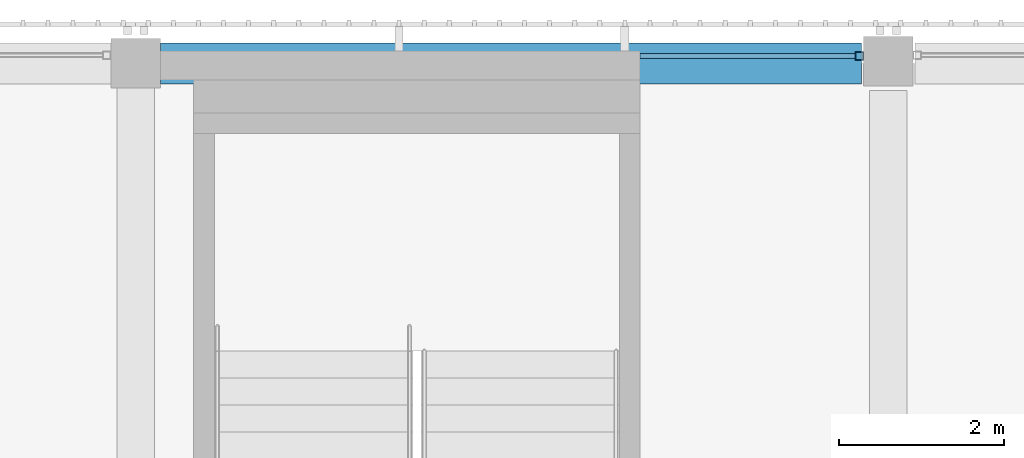
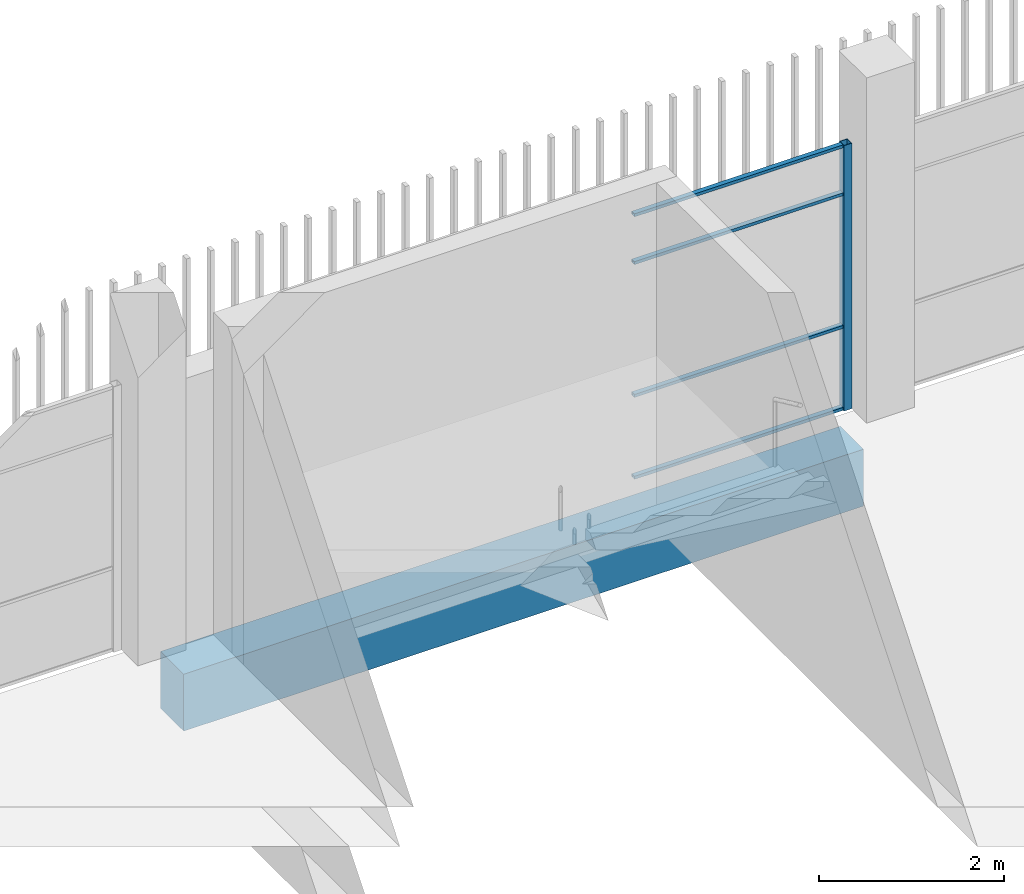
# One storey, part 34 of 126: 5 members, 1 beam, 1 element without a shape of its own.
"""IFC4 building model written with IfcOpenShell, lengths in metres."""

from ifc_helpers import new_model, si_unit, direction, frame, origin, origin_2d, place, context, subcontext, project, spatial, rectangle, hollow_rectangle, extrude, material, layer, layer_set, material_profile, profile_set, type_object, element, aggregate, save


model = new_model("IFC4")

# Units and contexts
model_context = context("Model", 3, precision=1e-05, world=origin(), true_north=direction((0.0, 1.0)))
body_context = subcontext(model_context, "Body", "Model", "MODEL_VIEW")
ifc_project = project(units=[si_unit("LENGTHUNIT", "METRE"), si_unit("AREAUNIT", "SQUARE_METRE"), si_unit("VOLUMEUNIT", "CUBIC_METRE"), si_unit("PLANEANGLEUNIT", "RADIAN"), si_unit("MASSUNIT", "GRAM", prefix="KILO")], contexts=[model_context])

# Site, building, storey
site_placement = place(None, origin())
site = spatial("IfcSite", under=ifc_project, at=site_placement, CompositionType="ELEMENT")
building_placement = place(site_placement, origin())
building = spatial("IfcBuilding", under=site, at=building_placement, Name="Shirokan Park Arena", CompositionType="ELEMENT")
storey_placement = place(building_placement, frame((0.0, 0.0, 6.3701171875)))
storey = spatial("IfcBuildingStorey", under=building, at=storey_placement, Name="L01", CompositionType="ELEMENT", Elevation=6.3701171875)

# Curtain wall, member
ifc_material_1 = material(Name="Steel and glass curtain wall", Category="steel")
ifc_layer = layer(ifc_material_1, 0.1201171875)
ifc_layer_set = layer_set([ifc_layer], Name="Steel and glass curtain wall 120 mm")
curtain_wall_type = type_object("IfcCurtainWallType", Name="Curtain wall corner block side bay 120", PredefinedType="NOTDEFINED", material=ifc_layer_set)
curtain_wall_placement = place(storey_placement, origin())
curtain_wall = element("IfcCurtainWall", 1, at=curtain_wall_placement, inside=storey, type_object=curtain_wall_type, Name="Curtain wall north bay 10 L01", PredefinedType="NOTDEFINED")
ifc_material_2 = material(Name="Steel S355", Category="steel")
ifc_material_profile_1 = material_profile(ifc_material_2, hollow_rectangle(XDim=0.10009765625, YDim=0.10009765625, WallThickness=0.006103515625, at=origin_2d()), Name="RHS 100x100x6")
ifc_profile_set_1 = profile_set([ifc_material_profile_1], Name="Steel S355")
member_type_1 = type_object("IfcMemberType", Name="Mullion RHS 100x100x6", PredefinedType="MULLION", material=ifc_profile_set_1)
member_1_placement = place(storey_placement, frame((63.35009765625, 109.2900390625, 0.0), z_axis=(0.0, 0.0, 1.0), x_axis=(0.0, -1.0, 0.0)))
member_1 = element("IfcMember", 2, at=member_1_placement, type_object=member_type_1, Name="CW3 mullion 1", PredefinedType="MULLION", context=body_context, shape_type="SweptSolid", body=[
    extrude(hollow_rectangle(XDim=0.10009765625, YDim=0.10009765625, WallThickness=0.006103515625, at=origin_2d()), origin(), (0.0, 0.0, 1.0), 3.5),
])

# Beam
ifc_material_3 = material(Name="Concrete C35", Category="concrete")
ifc_material_profile_2 = material_profile(ifc_material_3, rectangle(XDim=0.5, YDim=0.75, at=origin_2d()), Name="500x750")
ifc_profile_set_2 = profile_set([ifc_material_profile_2], Name="Concrete C35")
beam_type = type_object("IfcBeamType", Name="RC girder 500x750", PredefinedType="BEAM", material=ifc_profile_set_2)
beam_placement = place(storey_placement, frame((54.900146484375, 109.199951171875, -0.72509765625), z_axis=(1.0, 0.0, 0.0), x_axis=(0.0, 1.0, 0.0)))
element("IfcBeam", 3, at=beam_placement, inside=storey, type_object=beam_type, Name="Girder 7N-8N L01", PredefinedType="BEAM", context=body_context, shape_type="SweptSolid", body=[
    extrude(rectangle(XDim=0.5, YDim=0.75, at=origin_2d()), origin(), (0.0, 0.0, 1.0), 8.474853515625),
])

# Member
ifc_material_profile_3 = material_profile(ifc_material_2, hollow_rectangle(XDim=0.06005859375, YDim=0.0400390625, WallThickness=0.00390625, at=origin_2d()), Name="RHS 60x40x4")
ifc_profile_set_3 = profile_set([ifc_material_profile_3], Name="Steel S355")
member_type_2 = type_object("IfcMemberType", Name="Transom RHS 60x40x4", PredefinedType="MULLION", material=ifc_profile_set_3)
member_2_placement = place(storey_placement, frame((63.300048828125, 109.2900390625, 0.019775390625), z_axis=(-1.0, 0.0, 0.0), x_axis=(0.0, -1.0, 0.0)))
member_2 = element("IfcMember", 4, at=member_2_placement, type_object=member_type_2, Name="CW3 transom 1.1", PredefinedType="MULLION", context=body_context, shape_type="SweptSolid", body=[
    extrude(hollow_rectangle(XDim=0.06005859375, YDim=0.0400390625, WallThickness=0.00390625, at=origin_2d()), origin(), (0.0, 0.0, 1.0), 2.60009765625),
])

member_3_placement = place(storey_placement, frame((63.300048828125, 109.2900390625, 1.099853515625), z_axis=(-1.0, 0.0, 0.0), x_axis=(0.0, -1.0, 0.0)))
member_3 = element("IfcMember", 5, at=member_3_placement, type_object=member_type_2, Name="CW3 transom 1.2", PredefinedType="MULLION", context=body_context, shape_type="SweptSolid", body=[
    extrude(hollow_rectangle(XDim=0.06005859375, YDim=0.0400390625, WallThickness=0.00390625, at=origin_2d()), origin(), (0.0, 0.0, 1.0), 2.60009765625),
])

member_4_placement = place(storey_placement, frame((63.300048828125, 109.2900390625, 2.849853515625), z_axis=(-1.0, 0.0, 0.0), x_axis=(0.0, -1.0, 0.0)))
member_4 = element("IfcMember", 6, at=member_4_placement, type_object=member_type_2, Name="CW3 transom 1.3", PredefinedType="MULLION", context=body_context, shape_type="SweptSolid", body=[
    extrude(hollow_rectangle(XDim=0.06005859375, YDim=0.0400390625, WallThickness=0.00390625, at=origin_2d()), origin(), (0.0, 0.0, 1.0), 2.60009765625),
])

member_5_placement = place(storey_placement, frame((63.300048828125, 109.2900390625, 3.47998046875), z_axis=(-1.0, 0.0, 0.0), x_axis=(0.0, -1.0, 0.0)))
member_5 = element("IfcMember", 7, at=member_5_placement, type_object=member_type_2, Name="CW3 transom 1.4", PredefinedType="MULLION", context=body_context, shape_type="SweptSolid", body=[
    extrude(hollow_rectangle(XDim=0.06005859375, YDim=0.0400390625, WallThickness=0.00390625, at=origin_2d()), origin(), (0.0, 0.0, 1.0), 2.60009765625),
])

aggregate(curtain_wall, [member_1, member_2, member_3, member_4, member_5])

save(model, "model.ifc")
